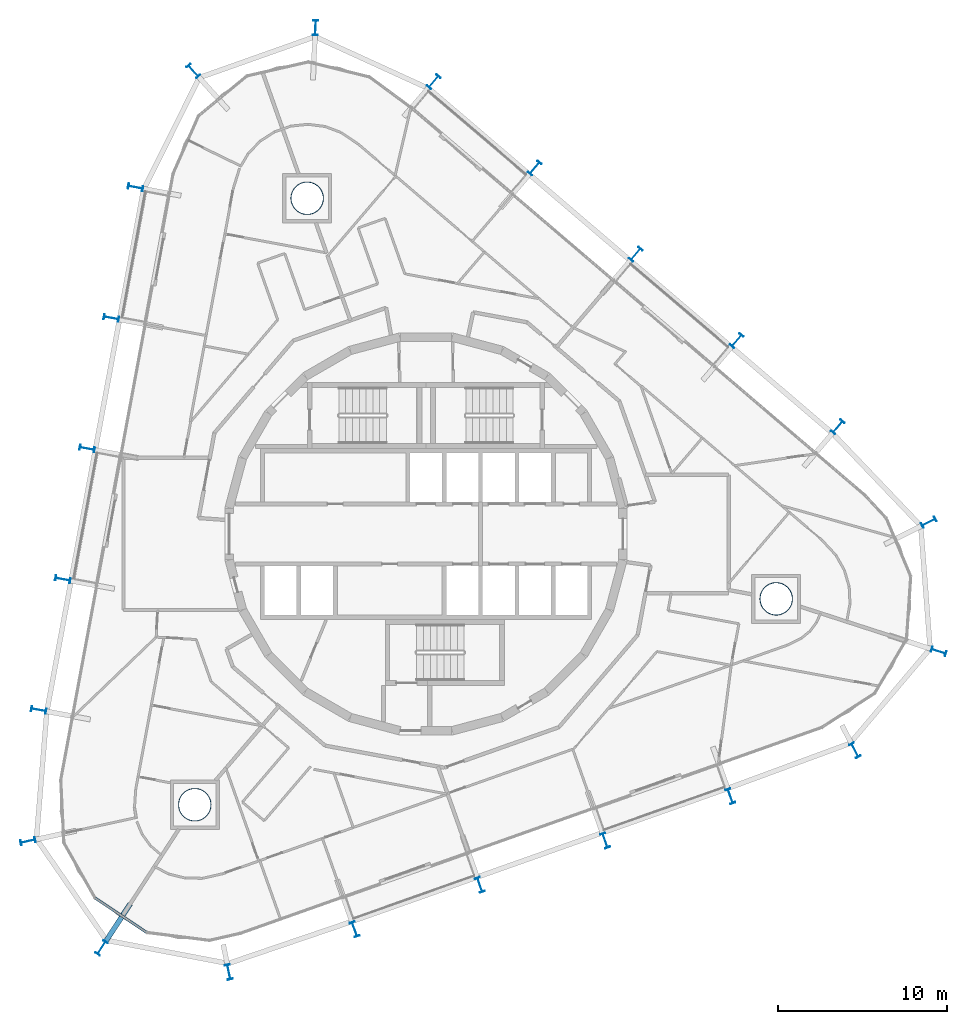
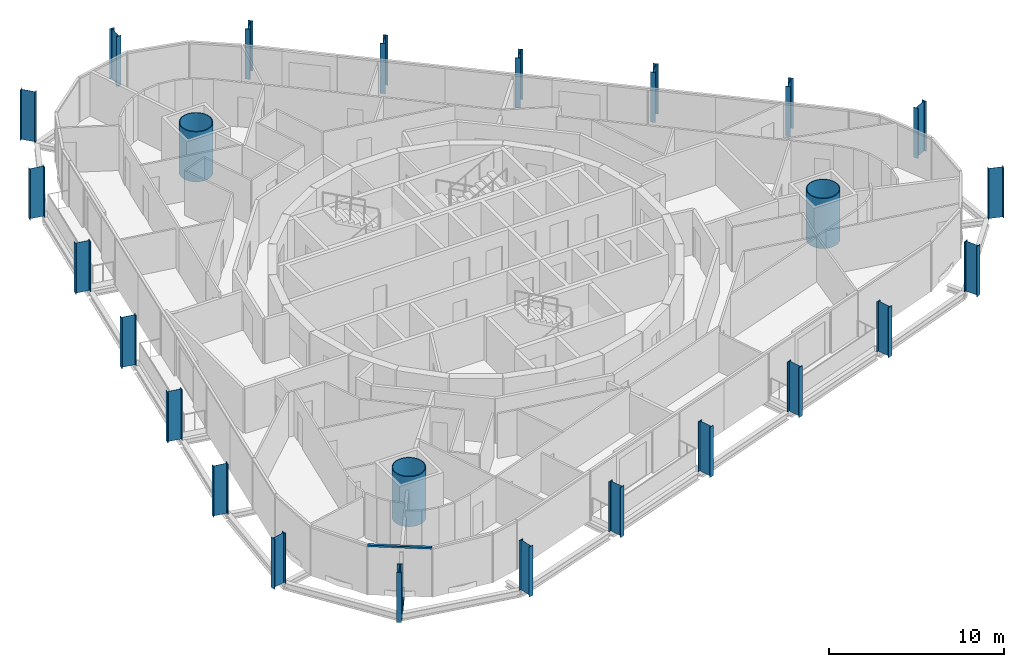
# One storey, part 1 of 17: 25 columns, 1 beam, 1 member, 1 element without a shape of its own.
"""IFC4 building model written with IfcOpenShell, lengths in metres."""

from ifc_helpers import new_model, si_unit, direction, frame, origin, origin_2d, place, context, subcontext, project, spatial, rectangle, hollow_circle, i_section, extrude, material, layer, layer_set, material_profile, profile_set, type_object, element, aggregate, save


model = new_model("IFC4")

# Units and contexts
model_context = context("Model", 3, precision=1e-05, world=origin(), true_north=direction((0.0, 1.0)))
body_context = subcontext(model_context, "Body", "Model", "MODEL_VIEW")
ifc_project = project(units=[si_unit("LENGTHUNIT", "METRE"), si_unit("AREAUNIT", "SQUARE_METRE"), si_unit("VOLUMEUNIT", "CUBIC_METRE"), si_unit("PLANEANGLEUNIT", "RADIAN"), si_unit("MASSUNIT", "GRAM", prefix="KILO")], contexts=[model_context])

# Site, building, storey
site_placement = place(None, origin())
site = spatial("IfcSite", under=ifc_project, at=site_placement, CompositionType="ELEMENT")
building_placement = place(site_placement, origin())
building = spatial("IfcBuilding", under=site, at=building_placement, Name="Spindle Arch Residences", CompositionType="ELEMENT")
storey_placement = place(building_placement, frame((0.0, 0.0, 172.699951171875)))
storey = spatial("IfcBuildingStorey", under=building, at=storey_placement, Name="L43", CompositionType="ELEMENT", Elevation=172.699951171875)

# Columns
ifc_material_1 = material(Name="Steel S460ML, intumescent coating R 240", Category="steel")
ifc_material_profile_1 = material_profile(ifc_material_1, i_section(OverallWidth=0.300048828125, OverallDepth=0.89990234375, WebThickness=0.0185546875, FlangeThickness=0.034912109375, FilletRadius=0.030029296875, at=origin_2d()), Name="HEB 900")
ifc_profile_set_1 = profile_set([ifc_material_profile_1], Name="Steel S460ML, intumescent coating R 240")
column_type_1 = type_object("IfcColumnType", Name="Exoskeleton post HEB 900", PredefinedType="COLUMN", material=ifc_profile_set_1)
for number, where, z_axis, x_axis, name in (
    (1, (10.592041015625, -18.1376953125, -0.3798828125), (0.0, 0.0, 1.0), (-0.942641392079, -0.333807138839, 0.0), "Exoskeleton post 1"),
    (2, (18.001220703125, -15.513916015625, -0.3798828125), (0.0, 0.0, 1.0), (-0.942641392079, -0.333807138839, 0.0), "Exoskeleton post 2"),
    (3, (25.37353515625, -12.79931640625, -0.3798828125), (0.0, 0.0, 1.0), (-0.887176487998, -0.461430253823, 0.0), "Exoskeleton post 3"),
    (4, (30.322509765625, -6.948486328125, -0.3798828125), (0.0, 0.0, 1.0), (-0.307880057726, -0.95142517838, 0.0), "Exoskeleton post 4"),
    (5, (29.739501953125, 0.6923828125, -0.3798828125), (0.0, 0.0, 1.0), (0.448657012727, -0.893704025352, 0.0), "Exoskeleton post 5"),
    (6, (24.357666015625, 6.330810546875, -0.3798828125), (0.0, 0.0, 1.0), (0.76040600398, -0.649448003393, 0.0), "Exoskeleton post 6"),
    (7, (18.380615234375, 11.435546875, -0.3798828125), (0.0, 0.0, 1.0), (0.76040600398, -0.649448003393, 0.0), "Exoskeleton post 7"),
    (8, (12.40380859375, 16.540283203125, -0.3798828125), (0.0, 0.0, 1.0), (0.76040600398, -0.649448003393, 0.0), "Exoskeleton post 8"),
    (9, (6.427001953125, 21.64501953125, -0.3798828125), (0.0, 0.0, 1.0), (0.76040600398, -0.649448003393, 0.0), "Exoskeleton post 9"),
    (10, (0.4501953125, 26.74951171875, -0.3798828125), (0.0, 0.0, 1.0), (0.76040600398, -0.649448003393, 0.0), "Exoskeleton post 10"),
    (11, (-6.53955078125, 29.945556640625, -0.3798828125), (0.0, 0.0, 1.0), (0.998810817099, -0.048753991075, 0.0), "Exoskeleton post 11"),
    (12, (-13.76318359375, 27.387451171875, -0.3798828125), (0.0, 0.0, 1.0), (0.745539941806, 0.666460947972, 0.0), "Exoskeleton post 12"),
    (13, (-17.183837890625, 20.505126953125, -0.3798828125), (0.0, 0.0, 1.0), (0.182235967681, 0.983254825609, 0.0), "Exoskeleton post 13"),
    (14, (-18.6162109375, 12.776611328125, -0.3798828125), (0.0, 0.0, 1.0), (0.182235967681, 0.983254825609, 0.0), "Exoskeleton post 14"),
    (15, (-20.048583984375, 5.048095703125, -0.3798828125), (0.0, 0.0, 1.0), (0.182235967681, 0.983254825609, 0.0), "Exoskeleton post 15"),
    (16, (-21.481201171875, -2.680419921875, -0.3798828125), (0.0, 0.0, 1.0), (0.182235967681, 0.983254825609, 0.0), "Exoskeleton post 16"),
    (17, (-22.91357421875, -10.40869140625, -0.3798828125), (0.0, 0.0, 1.0), (0.182235967681, 0.983254825609, 0.0), "Exoskeleton post 17"),
    (18, (-23.5478515625, -18.177490234375, -0.3798828125), (0.0, 0.0, 1.0), (-0.213754108667, 0.976887496607, 0.0), "Exoskeleton post 18"),
    (19, (-19.192138671875, -24.482666015625, -0.3798828125), (0.0, 0.0, 1.0), (-0.838019022948, 0.545641014933, 0.0), "Exoskeleton post 19"),
    (20, (-11.6640625, -25.9150390625, -0.3798828125), (0.0, 0.0, 1.0), (-0.979853205488, -0.199719041891, 0.0), "Exoskeleton post 20"),
    (21, (-4.226318359375, -23.385009765625, -0.3798828125), (0.0, 0.0, 1.0), (-0.942641392079, -0.333807138839, 0.0), "Exoskeleton post 21"),
    (22, (3.182861328125, -20.76123046875, -0.3798828125), (0.0, 0.0, 1.0), (-0.942641392079, -0.333807138839, 0.0), "Exoskeleton post 22"),
):
    element("IfcColumn", number, at=place(storey_placement, frame(where, z_axis=z_axis, x_axis=x_axis)), inside=storey, type_object=column_type_1, Name=name, PredefinedType="COLUMN", context=body_context, shape_type="SweptSolid", body=[
        extrude(i_section(OverallWidth=0.300048828125, OverallDepth=0.89990234375, WebThickness=0.0185546875, FlangeThickness=0.034912109375, FilletRadius=0.030029296875, at=origin_2d()), origin(), (0.0, 0.0, 1.0), 3.5),
    ])
ifc_material_2 = material(Name="Concrete C50/60 filled steel tube S460ML, intumescent coating R 240", Category="concrete")
ifc_material_profile_2 = material_profile(ifc_material_2, hollow_circle(Radius=0.97509765625, WallThickness=0.044921875, at=origin_2d()), Name="CFT D1950x45")
ifc_profile_set_2 = profile_set([ifc_material_profile_2], Name="Concrete C50/60 filled steel tube S460ML, intumescent coating R 240")
column_type_2 = type_object("IfcColumnType", Name="Mega-column CFT D1950x45", PredefinedType="COLUMN", material=ifc_profile_set_2)
for number, where, z_axis, x_axis, name in (
    (23, (20.713134765625, -3.839111328125, -0.3798828125), (0.0, 0.0, 1.0), (1.0, 0.0, 0.0), "Mega-column 1"),
    (24, (-7.031982421875, 19.857666015625, -0.3798828125), (0.0, 0.0, 1.0), (1.0, 0.0, 0.0), "Mega-column 2"),
    (25, (-13.68115234375, -16.0185546875, -0.3798828125), (0.0, 0.0, 1.0), (1.0, 0.0, 0.0), "Mega-column 3"),
):
    element("IfcColumn", number, at=place(storey_placement, frame(where, z_axis=z_axis, x_axis=x_axis)), inside=storey, type_object=column_type_2, Name=name, PredefinedType="COLUMN", context=body_context, shape_type="SweptSolid", body=[
        extrude(hollow_circle(Radius=0.97509765625, WallThickness=0.044921875, at=origin_2d()), origin(), (0.0, 0.0, 1.0), 3.5),
    ])

# Curtain wall, member
ifc_material_3 = material(Name="Aluminium bronze unitised frame with tinted glass", Category="aluminium")
ifc_layer = layer(ifc_material_3, 0.159912109375)
ifc_layer_set = layer_set([ifc_layer], Name="CW-D corner wall on the fillet arcs")
curtain_wall_type = type_object("IfcCurtainWallType", Name="CW-D corner wall on the fillet arcs", PredefinedType="NOTDEFINED", material=ifc_layer_set)
curtain_wall_placement = place(storey_placement, origin())
curtain_wall = element("IfcCurtainWall", 26, at=curtain_wall_placement, inside=storey, type_object=curtain_wall_type, Name="CW-D L43 run 5", PredefinedType="NOTDEFINED")
ifc_material_4 = material(Name="Aluminium bronze anodised transom", Category="aluminium")
ifc_material_profile_3 = material_profile(ifc_material_4, rectangle(XDim=0.159912109375, YDim=0.1201171875, at=origin_2d()), Name="TR 120x160")
ifc_profile_set_3 = profile_set([ifc_material_profile_3], Name="Aluminium bronze anodised transom")
member_type = type_object("IfcMemberType", Name="Bronze transom 120x160", PredefinedType="USERDEFINED", material=ifc_profile_set_3)
member_placement = place(storey_placement, frame((-19.58154296875, -21.528564453125, 3.06005859375), z_axis=(0.830623700005, -0.556834148549, 0.0), x_axis=(0.556834148549, 0.830623700005, 0.0)))
member = element("IfcMember", 27, at=member_placement, type_object=member_type, Name="CW-D transom 03", ObjectType="TRANSOM", PredefinedType="USERDEFINED", context=body_context, shape_type="SweptSolid", body=[
    extrude(rectangle(XDim=0.159912109375, YDim=0.1201171875, at=origin_2d()), origin(), (0.0, 0.0, 1.0), 3.666748046875),
])
aggregate(curtain_wall, [member])

# Beam
ifc_material_5 = material(Name="Steel S460ML, intumescent coating R 120", Category="steel")
ifc_material_profile_4 = material_profile(ifc_material_5, i_section(OverallWidth=0.300048828125, OverallDepth=0.389892578125, WebThickness=0.010986328125, FlangeThickness=0.01904296875, FilletRadius=0.027099609375, at=origin_2d()), Name="HEA 400")
ifc_profile_set_4 = profile_set([ifc_material_profile_4], Name="Steel S460ML, intumescent coating R 120")
beam_type = type_object("IfcBeamType", Name="Floor outrigger HEA 400", PredefinedType="BEAM", material=ifc_profile_set_4)
beam_placement = place(storey_placement, frame((-18.94677734375, -24.10546875, -0.574951171875), z_axis=(0.545674675997, 0.837997104992, 0.0), x_axis=(-0.837997104992, 0.545674675997, 0.0)))
element("IfcBeam", 28, at=beam_placement, inside=storey, type_object=beam_type, Name="Floor outrigger 19", PredefinedType="BEAM", context=body_context, shape_type="SweptSolid", body=[
    extrude(i_section(OverallWidth=0.300048828125, OverallDepth=0.389892578125, WebThickness=0.010986328125, FlangeThickness=0.01904296875, FilletRadius=0.027099609375, at=origin_2d()), origin(), (0.0, 0.0, 1.0), 2.64990234375),
])

save(model, "model.ifc")
